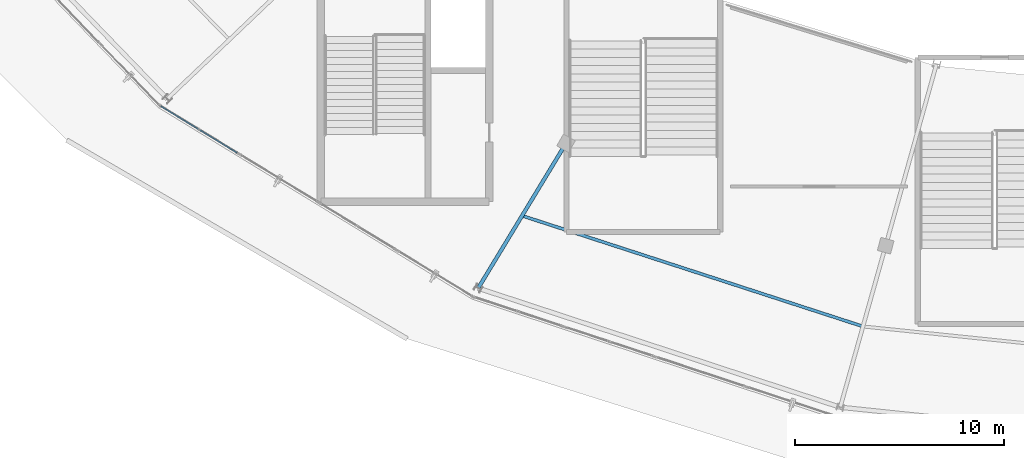
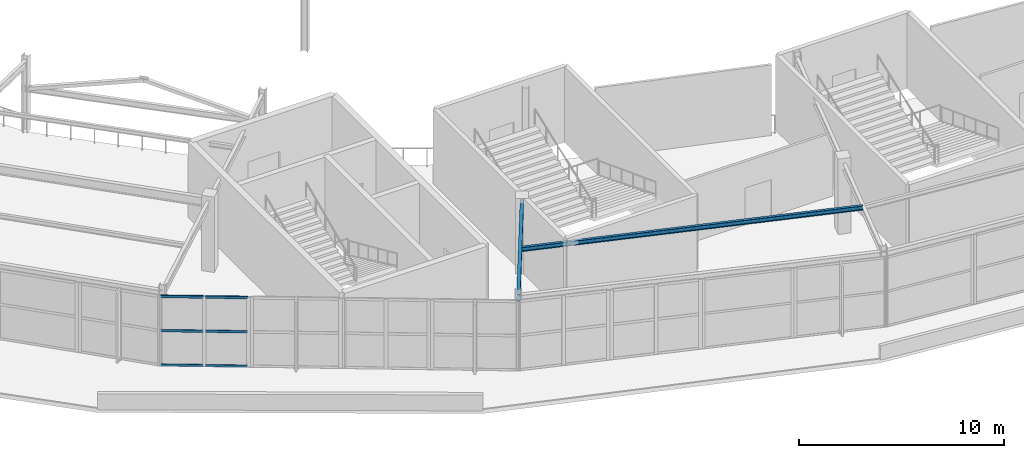
# One storey, part 21 of 126: 6 members, 2 beams, 1 element without a shape of its own.
"""IFC4 building model written with IfcOpenShell, lengths in metres."""

from ifc_helpers import new_model, si_unit, direction, frame, origin, origin_2d, place, context, subcontext, project, spatial, hollow_rectangle, i_section, extrude, material, layer, layer_set, material_profile, profile_set, type_object, element, aggregate, save


model = new_model("IFC4")

# Units and contexts
model_context = context("Model", 3, precision=1e-05, world=origin(), true_north=direction((0.0, 1.0)))
body_context = subcontext(model_context, "Body", "Model", "MODEL_VIEW")
ifc_project = project(units=[si_unit("LENGTHUNIT", "METRE"), si_unit("AREAUNIT", "SQUARE_METRE"), si_unit("VOLUMEUNIT", "CUBIC_METRE"), si_unit("PLANEANGLEUNIT", "RADIAN"), si_unit("MASSUNIT", "GRAM", prefix="KILO")], contexts=[model_context])

# Site, building, storey
site_placement = place(None, origin())
site = spatial("IfcSite", under=ifc_project, at=site_placement, CompositionType="ELEMENT")
building_placement = place(site_placement, origin())
building = spatial("IfcBuilding", under=site, at=building_placement, Name="Kalgoora Escarpment Arena", CompositionType="ELEMENT")
storey_placement = place(building_placement, frame((0.0, 0.0, 18.89990234375)))
storey = spatial("IfcBuildingStorey", under=building, at=storey_placement, Name="L04", CompositionType="ELEMENT", Elevation=18.89990234375)

# Beams
ifc_material_1 = material(Name="Structural steel AS/NZS 3679 (300 MPa)", Category="steel")
ifc_material_profile_1 = material_profile(ifc_material_1, i_section(OverallWidth=0.14599609375, OverallDepth=0.256103515625, WebThickness=0.00634765625, FlangeThickness=0.010986328125, at=origin_2d()))
ifc_profile_set_1 = profile_set([ifc_material_profile_1], Name="Structural steel AS/NZS 3679 (300 MPa)")
beam_type_1 = type_object("IfcBeamType", Name="BM-BEAM-250UB37.3", PredefinedType="BEAM", material=ifc_profile_set_1)
beam_1_placement = place(storey_placement, frame((58.60009765625, 18.1005859375, 4.08203125), z_axis=(0.951103123122, -0.308873516489, 0.0), x_axis=(0.308873516489, 0.951103123122, 0.0)))
element("IfcBeam", 1, at=beam_1_placement, inside=storey, type_object=beam_type_1, Name="L04 Concourse secondary ring beam 250UB37.3", PredefinedType="BEAM", context=body_context, shape_type="SweptSolid", body=[
    extrude(i_section(OverallWidth=0.14599609375, OverallDepth=0.256103515625, WebThickness=0.00634765625, FlangeThickness=0.010986328125, at=origin_2d()), origin(), (0.0, 0.0, 1.0), 17.141845703125),
])
ifc_material_2 = material(Name="Structural steel AS/NZS 3679 (300 MPa)", Category="steel")
ifc_material_profile_2 = material_profile(ifc_material_2, i_section(OverallWidth=0.177978515625, OverallDepth=0.406005859375, WebThickness=0.0078125, FlangeThickness=0.0126953125, at=origin_2d()))
ifc_profile_set_2 = profile_set([ifc_material_profile_2], Name="Structural steel AS/NZS 3679 (300 MPa)")
beam_type_2 = type_object("IfcBeamType", Name="BM-GIRDER-410UB59.7", PredefinedType="USERDEFINED", material=ifc_profile_set_2)
beam_2_placement = place(storey_placement, frame((60.699951171875, 21.564697265625, 4.007080078125), z_axis=(-0.518407902139, -0.85513346736, 0.0), x_axis=(0.85513346736, -0.518407902139, 0.0)))
element("IfcBeam", 2, at=beam_2_placement, inside=storey, type_object=beam_type_2, Name="L04 Radial concourse girder 410UB59.7", ObjectType="GIRDER", PredefinedType="USERDEFINED", context=body_context, shape_type="SweptSolid", body=[
    extrude(i_section(OverallWidth=0.177978515625, OverallDepth=0.406005859375, WebThickness=0.0078125, FlangeThickness=0.0126953125, at=origin_2d()), origin(), (0.0, 0.0, 1.0), 8.1015625),
])

# Curtain wall, members
ifc_material_3 = material(Name=" Champagne anodised aluminium & double-glazed low-E", Category="aluminium")
ifc_layer = layer(ifc_material_3, 0.154052734375)
ifc_layer_set = layer_set([ifc_layer], Name="CW-UNIT-06")
curtain_wall_type = type_object("IfcCurtainWallType", Name="CW-UNIT-06", PredefinedType="NOTDEFINED", material=ifc_layer_set)
curtain_wall_placement = place(storey_placement, origin())
curtain_wall = element("IfcCurtainWall", 3, at=curtain_wall_placement, inside=storey, type_object=curtain_wall_type, Name="L04 unitised facade curtain wall 125", PredefinedType="NOTDEFINED")
ifc_material_4 = material(Name="Anodised aluminium 6063-T6", Category="aluminium")
ifc_material_profile_3 = material_profile(ifc_material_4, hollow_rectangle(XDim=0.06005859375, YDim=0.14990234375, WallThickness=0.00341796875, at=origin_2d()))
ifc_profile_set_3 = profile_set([ifc_material_profile_3], Name="Anodised aluminium 6063-T6")
member_type = type_object("IfcMemberType", Name="MEM-CW-TRAN-150", PredefinedType="USERDEFINED", material=ifc_profile_set_3)
member_1_placement = place(storey_placement, frame((44.967041015625, 21.11474609375, 0.050048828125), z_axis=(-0.853511451854, 0.521074084515, 0.0), x_axis=(-0.521074084515, -0.853511451854, 0.0)))
member_1 = element("IfcMember", 4, at=member_1_placement, type_object=member_type, Name="CW-06 transom 1.1", ObjectType="TRANSOM", PredefinedType="USERDEFINED", context=body_context, shape_type="SweptSolid", body=[
    extrude(hollow_rectangle(XDim=0.06005859375, YDim=0.14990234375, WallThickness=0.00341796875, at=origin_2d()), origin(), (0.0, 0.0, 1.0), 2.101806640625),
])
member_2_placement = place(storey_placement, frame((44.967041015625, 21.11474609375, 2.10498046875), z_axis=(-0.853511451854, 0.521074084515, 0.0), x_axis=(-0.521074084515, -0.853511451854, 0.0)))
member_2 = element("IfcMember", 5, at=member_2_placement, type_object=member_type, Name="CW-06 transom 1.2", ObjectType="TRANSOM", PredefinedType="USERDEFINED", context=body_context, shape_type="SweptSolid", body=[
    extrude(hollow_rectangle(XDim=0.06005859375, YDim=0.14990234375, WallThickness=0.00341796875, at=origin_2d()), origin(), (0.0, 0.0, 1.0), 2.101806640625),
])
member_3_placement = place(storey_placement, frame((44.967041015625, 21.11474609375, 4.14013671875), z_axis=(-0.853511451854, 0.521074084515, 0.0), x_axis=(-0.521074084515, -0.853511451854, 0.0)))
member_3 = element("IfcMember", 6, at=member_3_placement, type_object=member_type, Name="CW-06 transom 1.3", ObjectType="TRANSOM", PredefinedType="USERDEFINED", context=body_context, shape_type="SweptSolid", body=[
    extrude(hollow_rectangle(XDim=0.06005859375, YDim=0.14990234375, WallThickness=0.00341796875, at=origin_2d()), origin(), (0.0, 0.0, 1.0), 2.101806640625),
])
member_4_placement = place(storey_placement, frame((43.11767578125, 22.243896484375, 0.050048828125), z_axis=(-0.853542985528, 0.521022429321, 0.0), x_axis=(-0.521022429321, -0.853542985528, 0.0)))
member_4 = element("IfcMember", 7, at=member_4_placement, type_object=member_type, Name="CW-06 transom 2.1", ObjectType="TRANSOM", PredefinedType="USERDEFINED", context=body_context, shape_type="SweptSolid", body=[
    extrude(hollow_rectangle(XDim=0.06005859375, YDim=0.14990234375, WallThickness=0.00341796875, at=origin_2d()), origin(), (0.0, 0.0, 1.0), 2.10205078125),
])
member_5_placement = place(storey_placement, frame((43.11767578125, 22.243896484375, 2.10498046875), z_axis=(-0.853542985528, 0.521022429321, 0.0), x_axis=(-0.521022429321, -0.853542985528, 0.0)))
member_5 = element("IfcMember", 8, at=member_5_placement, type_object=member_type, Name="CW-06 transom 2.2", ObjectType="TRANSOM", PredefinedType="USERDEFINED", context=body_context, shape_type="SweptSolid", body=[
    extrude(hollow_rectangle(XDim=0.06005859375, YDim=0.14990234375, WallThickness=0.00341796875, at=origin_2d()), origin(), (0.0, 0.0, 1.0), 2.10205078125),
])
member_6_placement = place(storey_placement, frame((43.11767578125, 22.243896484375, 4.14013671875), z_axis=(-0.853542985528, 0.521022429321, 0.0), x_axis=(-0.521022429321, -0.853542985528, 0.0)))
member_6 = element("IfcMember", 9, at=member_6_placement, type_object=member_type, Name="CW-06 transom 2.3", ObjectType="TRANSOM", PredefinedType="USERDEFINED", context=body_context, shape_type="SweptSolid", body=[
    extrude(hollow_rectangle(XDim=0.06005859375, YDim=0.14990234375, WallThickness=0.00341796875, at=origin_2d()), origin(), (0.0, 0.0, 1.0), 2.10205078125),
])
aggregate(curtain_wall, [member_1, member_2, member_3, member_4, member_5, member_6])

save(model, "model.ifc")
